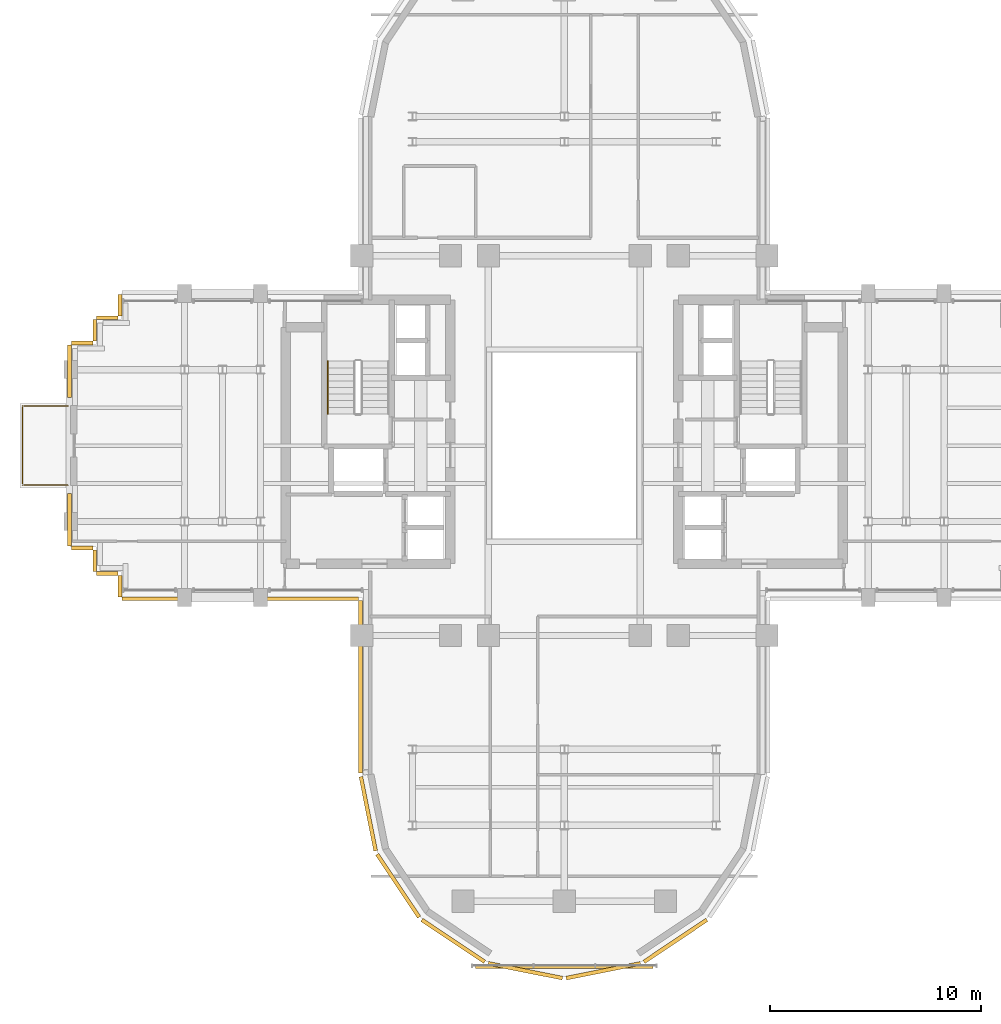
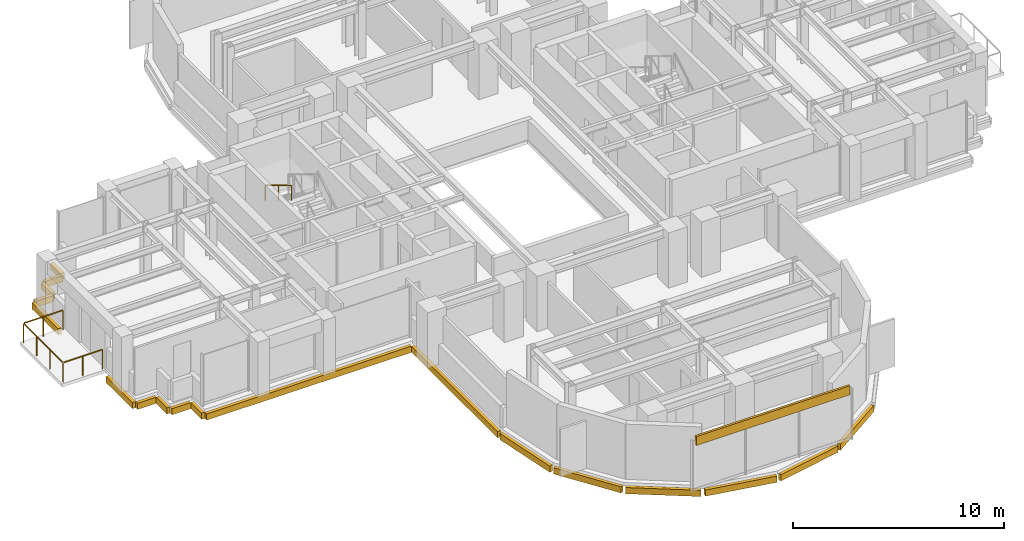
# One storey, part 11 of 13: 19 coverings, 2 railings.
"""IFC4 building model written with IfcOpenShell, lengths in metres."""

from ifc_helpers import new_model, si_unit, direction, frame, origin, origin_2d, place, context, subcontext, project, spatial, rectangle, extrude, source, transform, mapped, material, layer, layer_set, type_object, element, save


model = new_model("IFC4")

# Units and contexts
model_context = context("Model", 3, precision=1e-05, world=origin(), true_north=direction((0.0, 1.0)))
body_context = subcontext(model_context, "Body", "Model", "MODEL_VIEW")
ifc_project = project(units=[si_unit("LENGTHUNIT", "METRE"), si_unit("AREAUNIT", "SQUARE_METRE"), si_unit("VOLUMEUNIT", "CUBIC_METRE"), si_unit("PLANEANGLEUNIT", "RADIAN"), si_unit("MASSUNIT", "GRAM", prefix="KILO")], contexts=[model_context])

# Site, building, storey
site_placement = place(None, origin())
site = spatial("IfcSite", under=ifc_project, at=site_placement, CompositionType="ELEMENT")
building_placement = place(site_placement, origin())
building = spatial("IfcBuilding", under=site, at=building_placement, Name="Keilestroom Media Tower", CompositionType="ELEMENT")
storey_placement = place(building_placement, frame((0.0, 0.0, 104.0)))
storey = spatial("IfcBuildingStorey", under=building, at=storey_placement, Name="L27", CompositionType="ELEMENT", Elevation=104.0)

# Railings
ifc_material_1 = material(Name="Brushed Stainless Steel 1.4301", Category="steel")
railing_type_1 = type_object("IfcRailingType", Name="Stair-Pitch-Handrail-920", PredefinedType="HANDRAIL", material=ifc_material_1)
railing_1_placement = place(storey_placement, frame((-11.2099609375, 3.99609375, 1.888916015625)))
element("IfcRailing", 1, at=railing_1_placement, inside=storey, type_object=railing_type_1, Name="L27 ST-1 stair handrail 2", PredefinedType="HANDRAIL", context=body_context, shape_type="SweptSolid", body=[
    extrude(rectangle(XDim=0.048095703125, YDim=0.048095703125, at=origin_2d()), frame((0.0, 0.0, 0.8759765625), z_axis=(0.0, -0.855470815493, 0.517851024754), x_axis=(1.0, 0.0, 0.0)), (0.0, 0.0, 1.0), 2.917724609375),
    extrude(rectangle(XDim=0.0419921875, YDim=0.0419921875, at=origin_2d()), origin(), (0.0, 0.0, 1.0), 0.84375),
    extrude(rectangle(XDim=0.0419921875, YDim=0.0419921875, at=origin_2d()), frame((0.0, -1.248046875, 0.75537109375)), (0.0, 0.0, 1.0), 0.84375),
    extrude(rectangle(XDim=0.0419921875, YDim=0.0419921875, at=origin_2d()), frame((0.0, -2.49609375, 1.510986328125)), (0.0, 0.0, 1.0), 0.84375),
])
ifc_material_2 = material(Name="Laminated Safety Glass & Stainless Steel", Category="steel")
railing_type_2 = type_object("IfcRailingType", Name="Terrace-And-Atrium-Guard-Balustrade-GD-EXT", PredefinedType="BALUSTRADE", material=ifc_material_2)
railing_2_placement = place(storey_placement, frame((-23.52001953125, -1.8798828125, 0.0)))
element("IfcRailing", 2, at=railing_2_placement, inside=storey, type_object=railing_type_2, Name="L27 Terrace Perimeter Guard L27-W", PredefinedType="BALUSTRADE", context=body_context, shape_type="SweptSolid", body=[
    extrude(rectangle(XDim=0.048095703125, YDim=0.048095703125, at=origin_2d()), frame((0.0, 0.0, 1.1259765625), z_axis=(-1.0, 0.0, 0.0), x_axis=(0.0, -1.0, 0.0)), (0.0, 0.0, 1.0), 2.11181640625),
    extrude(rectangle(XDim=0.048095703125, YDim=0.048095703125, at=origin_2d()), frame((-2.159912109375, 0.048095703125, 1.1259765625), z_axis=(0.0, 1.0, 0.0), x_axis=(-1.0, 0.0, 0.0)), (0.0, 0.0, 1.0), 3.66357421875),
    extrude(rectangle(XDim=0.048095703125, YDim=0.048095703125, at=origin_2d()), frame((-2.11181640625, 3.759765625, 1.1259765625), z_axis=(1.0, 0.0, 0.0), x_axis=(0.0, 1.0, 0.0)), (0.0, 0.0, 1.0), 2.11181640625),
    extrude(rectangle(XDim=0.0419921875, YDim=0.0419921875, at=origin_2d()), origin(), (0.0, 0.0, 1.0), 1.09375),
    extrude(rectangle(XDim=0.0419921875, YDim=0.0419921875, at=origin_2d()), frame((-1.080078125, 0.0, 0.0)), (0.0, 0.0, 1.0), 1.09375),
    extrude(rectangle(XDim=0.0419921875, YDim=0.0419921875, at=origin_2d()), frame((-2.159912109375, 0.0, 0.0)), (0.0, 0.0, 1.0), 1.09375),
    extrude(rectangle(XDim=0.0419921875, YDim=0.0419921875, at=origin_2d()), frame((-2.159912109375, 1.253173828125, 0.0)), (0.0, 0.0, 1.0), 1.09375),
    extrude(rectangle(XDim=0.0419921875, YDim=0.0419921875, at=origin_2d()), frame((-2.159912109375, 2.506591796875, 0.0)), (0.0, 0.0, 1.0), 1.09375),
    extrude(rectangle(XDim=0.0419921875, YDim=0.0419921875, at=origin_2d()), frame((-2.159912109375, 3.759765625, 0.0)), (0.0, 0.0, 1.0), 1.09375),
    extrude(rectangle(XDim=0.0419921875, YDim=0.0419921875, at=origin_2d()), frame((-1.080078125, 3.759765625, 0.0)), (0.0, 0.0, 1.0), 1.09375),
    extrude(rectangle(XDim=0.0419921875, YDim=0.0419921875, at=origin_2d()), frame((0.0, 3.759765625, 0.0)), (0.0, 0.0, 1.0), 1.09375),
])

# Coverings
ifc_material_3 = material(Name="Precast concrete C40/50", Category="concrete")
ifc_layer = layer(ifc_material_3, 0.1201171875)
ifc_layer_set = layer_set([ifc_layer], Name="Precast concrete C40/50")
covering_type = type_object("IfcCoveringType", Name="Exterior-Precast-Spandrel-Cladding-Panel-120", PredefinedType="CLADDING", material=ifc_layer_set)
shared_shape_1 = source(origin(), body_context, "Body", "SweptSolid", [
    extrude(rectangle(XDim=8.39990234375, YDim=0.1201171875, at=origin_2d()), origin(), (0.0, 0.0, 1.0), 0.52001953125),
])
covering_1_placement = place(storey_placement, frame((0.0, -24.719970703125, 2.68994140625), z_axis=(0.0, 0.0, 1.0), x_axis=(1.0, 0.0, 0.0)))
element("IfcCovering", 3, at=covering_1_placement, inside=storey, type_object=covering_type, Name="L27 Precast Spandrel Cladding S", PredefinedType="CLADDING", context=body_context, shape_type="MappedRepresentation", body=[
    mapped(shared_shape_1, transform((0.0, 0.0, 0.0), x_axis=(1.0, 0.0, 0.0), y_axis=(0.0, 1.0, 0.0), z_axis=(0.0, 0.0, 1.0), scale=1.0)),
])
shared_shape_2 = source(origin(), body_context, "Body", "SweptSolid", [
    extrude(rectangle(XDim=1.02001953125, YDim=0.179931640625, at=origin_2d()), origin(), (0.0, 0.0, 1.0), 0.360107421875),
])
for number, where, z_axis, x_axis, name in (
    (4, (-21.06005859375, -6.659912109375, -0.5400390625), (0.0, 0.0, 1.0), (0.0, 1.0, 0.0), "L27 Precast Slab-Edge Fascia Cornice 17"),
    (5, (-21.659912109375, -6.06005859375, -0.5400390625), (0.0, 0.0, 1.0), (-1.0, 0.0, 0.0), "L27 Precast Slab-Edge Fascia Cornice 18"),
    (6, (-22.260009765625, -5.4599609375, -0.5400390625), (0.0, 0.0, 1.0), (0.0, 1.0, 0.0), "L27 Precast Slab-Edge Fascia Cornice 19"),
    (7, (-22.860107421875, -4.860107421875, -0.5400390625), (0.0, 0.0, 1.0), (-1.0, 0.0, 0.0), "L27 Precast Slab-Edge Fascia Cornice 20"),
    (8, (-22.860107421875, 4.860107421875, -0.5400390625), (0.0, 0.0, 1.0), (1.0, 0.0, 0.0), "L27 Precast Slab-Edge Fascia Cornice 23"),
    (9, (-22.260009765625, 5.4599609375, -0.5400390625), (0.0, 0.0, 1.0), (0.0, 1.0, 0.0), "L27 Precast Slab-Edge Fascia Cornice 24"),
    (10, (-21.659912109375, 6.06005859375, -0.5400390625), (0.0, 0.0, 1.0), (1.0, 0.0, 0.0), "L27 Precast Slab-Edge Fascia Cornice 25"),
    (11, (-21.06005859375, 6.659912109375, -0.5400390625), (0.0, 0.0, 1.0), (0.0, 1.0, 0.0), "L27 Precast Slab-Edge Fascia Cornice 26"),
):
    element("IfcCovering", number, at=place(storey_placement, frame(where, z_axis=z_axis, x_axis=x_axis)), inside=storey, type_object=covering_type, Name=name, PredefinedType="CLADDING", context=body_context, shape_type="MappedRepresentation", body=[
        mapped(shared_shape_2, transform((0.0, 0.0, 0.0), x_axis=(1.0, 0.0, 0.0), y_axis=(0.0, 1.0, 0.0), z_axis=(0.0, 0.0, 1.0), scale=1.0)),
    ])
shared_shape_3 = source(origin(), body_context, "Body", "SweptSolid", [
    extrude(rectangle(XDim=8.166015625, YDim=0.179931640625, at=origin_2d()), origin(), (0.0, 0.0, 1.0), 0.360107421875),
])
covering_2_placement = place(storey_placement, frame((-9.659912109375, -11.43310546875, -0.5400390625), z_axis=(0.0, 0.0, 1.0), x_axis=(0.0, 1.0, 0.0)))
element("IfcCovering", 12, at=covering_2_placement, inside=storey, type_object=covering_type, Name="L27 Precast Slab-Edge Fascia Cornice 15", PredefinedType="CLADDING", context=body_context, shape_type="MappedRepresentation", body=[
    mapped(shared_shape_3, transform((0.0, 0.0, 0.0), x_axis=(1.0, 0.0, 0.0), y_axis=(0.0, 1.0, 0.0), z_axis=(0.0, 0.0, 1.0), scale=1.0)),
])
shared_shape_4 = source(origin(), body_context, "Body", "SweptSolid", [
    extrude(rectangle(XDim=3.58349609375, YDim=0.179931640625, at=origin_2d()), origin(), (0.0, 0.0, 1.0), 0.360107421875),
])
covering_3_placement = place(storey_placement, frame((-9.29296875, -17.45166015625, -0.5400390625), z_axis=(0.0, 0.0, 1.0), x_axis=(-0.195098880975, 0.980783577882, 0.0)))
element("IfcCovering", 13, at=covering_3_placement, inside=storey, type_object=covering_type, Name="L27 Precast Slab-Edge Fascia Cornice 14", PredefinedType="CLADDING", context=body_context, shape_type="MappedRepresentation", body=[
    mapped(shared_shape_4, transform((0.0, 0.0, 0.0), x_axis=(1.0, 0.0, 0.0), y_axis=(0.0, 1.0, 0.0), z_axis=(0.0, 0.0, 1.0), scale=1.0)),
])
shared_shape_5 = source(origin(), body_context, "Body", "SweptSolid", [
    extrude(rectangle(XDim=3.589599609375, YDim=0.179931640625, at=origin_2d()), origin(), (0.0, 0.0, 1.0), 0.360107421875),
])
for number, where, z_axis, x_axis, name in (
    (14, (5.264404296875, -23.478515625, -0.5400390625), (0.0, 0.0, 1.0), (-0.831466703332, -0.555574586577, 0.0), "L27 Precast Slab-Edge Fascia Cornice 09"),
    (15, (1.8486328125, -24.893310546875, -0.5400390625), (0.0, 0.0, 1.0), (-0.980783577882, -0.195098880975, 0.0), "L27 Precast Slab-Edge Fascia Cornice 10"),
    (16, (-1.8486328125, -24.893310546875, -0.5400390625), (0.0, 0.0, 1.0), (-0.980783577882, 0.195098880975, 0.0), "L27 Precast Slab-Edge Fascia Cornice 11"),
    (17, (-5.264404296875, -23.478515625, -0.5400390625), (0.0, 0.0, 1.0), (-0.831466703332, 0.555574586577, 0.0), "L27 Precast Slab-Edge Fascia Cornice 12"),
    (18, (-7.878662109375, -20.8642578125, -0.5400390625), (0.0, 0.0, 1.0), (-0.555574586577, 0.831466703332, 0.0), "L27 Precast Slab-Edge Fascia Cornice 13"),
):
    element("IfcCovering", number, at=place(storey_placement, frame(where, z_axis=z_axis, x_axis=x_axis)), inside=storey, type_object=covering_type, Name=name, PredefinedType="CLADDING", context=body_context, shape_type="MappedRepresentation", body=[
        mapped(shared_shape_5, transform((0.0, 0.0, 0.0), x_axis=(1.0, 0.0, 0.0), y_axis=(0.0, 1.0, 0.0), z_axis=(0.0, 0.0, 1.0), scale=1.0)),
    ])
shared_shape_6 = source(origin(), body_context, "Body", "SweptSolid", [
    extrude(rectangle(XDim=2.5, YDim=0.179931640625, at=origin_2d()), origin(), (0.0, 0.0, 1.0), 0.360107421875),
])
for number, where, z_axis, x_axis, name in (
    (19, (-23.4599609375, -3.52001953125, -0.5400390625), (0.0, 0.0, 1.0), (0.0, 1.0, 0.0), "L27 Precast Slab-Edge Fascia Cornice 21"),
    (20, (-23.4599609375, 3.52001953125, -0.5400390625), (0.0, 0.0, 1.0), (0.0, 1.0, 0.0), "L27 Precast Slab-Edge Fascia Cornice 22"),
):
    element("IfcCovering", number, at=place(storey_placement, frame(where, z_axis=z_axis, x_axis=x_axis)), inside=storey, type_object=covering_type, Name=name, PredefinedType="CLADDING", context=body_context, shape_type="MappedRepresentation", body=[
        mapped(shared_shape_6, transform((0.0, 0.0, 0.0), x_axis=(1.0, 0.0, 0.0), y_axis=(0.0, 1.0, 0.0), z_axis=(0.0, 0.0, 1.0), scale=1.0)),
    ])
shared_shape_7 = source(origin(), body_context, "Body", "SweptSolid", [
    extrude(rectangle(XDim=11.219970703125, YDim=0.179931640625, at=origin_2d()), origin(), (0.0, 0.0, 1.0), 0.360107421875),
])
covering_4_placement = place(storey_placement, frame((-15.360107421875, -7.260009765625, -0.5400390625), z_axis=(0.0, 0.0, 1.0), x_axis=(-1.0, 0.0, 0.0)))
element("IfcCovering", 21, at=covering_4_placement, inside=storey, type_object=covering_type, Name="L27 Precast Slab-Edge Fascia Cornice 16", PredefinedType="CLADDING", context=body_context, shape_type="MappedRepresentation", body=[
    mapped(shared_shape_7, transform((0.0, 0.0, 0.0), x_axis=(1.0, 0.0, 0.0), y_axis=(0.0, 1.0, 0.0), z_axis=(0.0, 0.0, 1.0), scale=1.0)),
])

save(model, "model.ifc")
